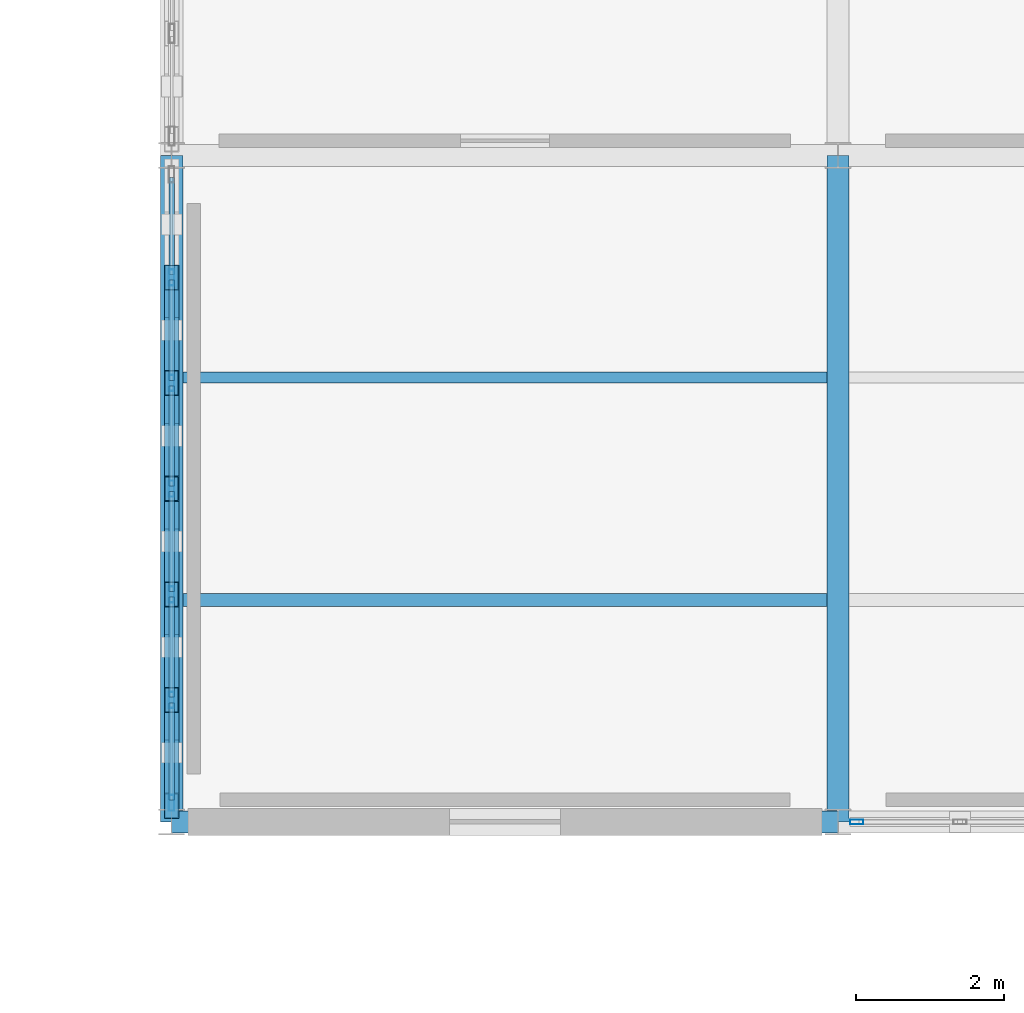
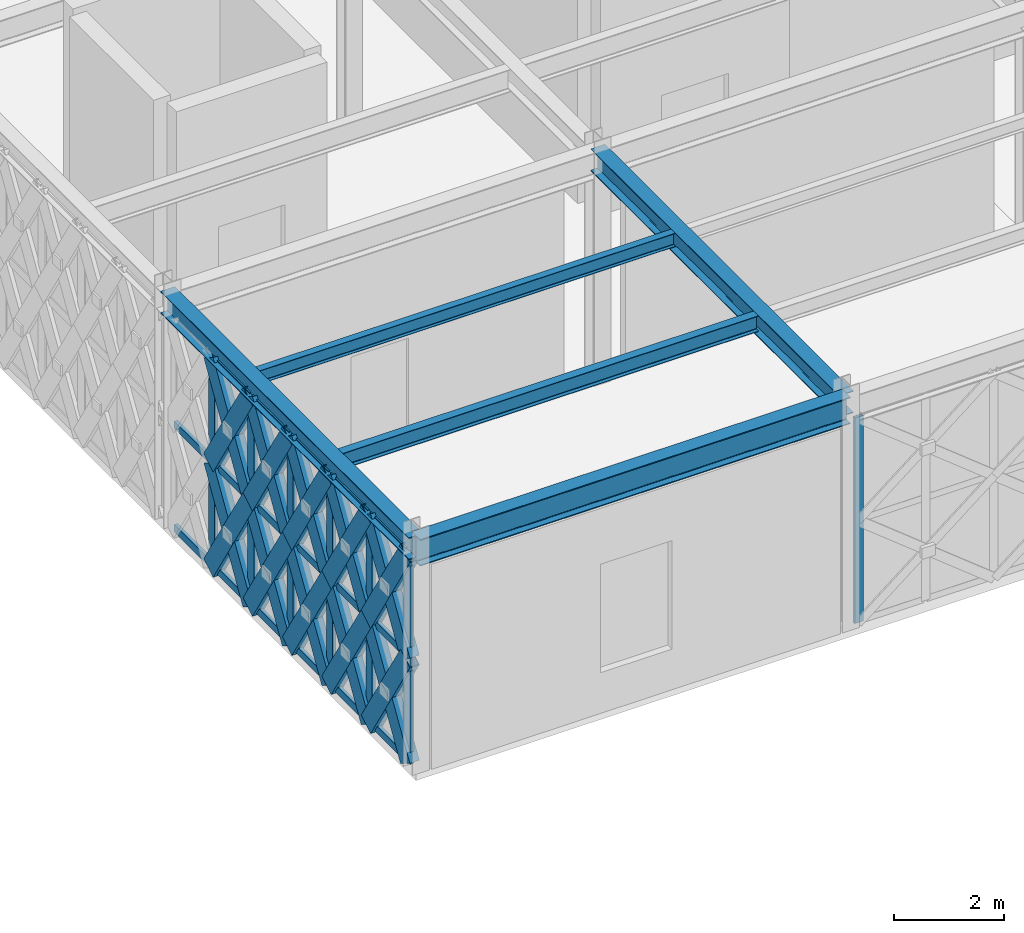
# One storey, part 82 of 166: 54 members, 5 beams, 2 elements without a shape of their own.
"""IFC4 building model written with IfcOpenShell, lengths in metres."""

from ifc_helpers import new_model, si_unit, direction, frame, origin, origin_2d, place, context, subcontext, project, spatial, hollow_rectangle, i_section, extrude, material, material_profile, profile_set, type_object, element, aggregate, save


model = new_model("IFC4")

# Units and contexts
model_context = context("Model", 3, precision=1e-05, world=origin(), true_north=direction((0.0, 1.0)))
body_context = subcontext(model_context, "Body", "Model", "MODEL_VIEW")
ifc_project = project(units=[si_unit("LENGTHUNIT", "METRE"), si_unit("AREAUNIT", "SQUARE_METRE"), si_unit("VOLUMEUNIT", "CUBIC_METRE"), si_unit("PLANEANGLEUNIT", "RADIAN"), si_unit("MASSUNIT", "GRAM", prefix="KILO")], contexts=[model_context])

# Site, building, storey
site_placement = place(None, origin())
site = spatial("IfcSite", under=ifc_project, at=site_placement, CompositionType="ELEMENT")
building_placement = place(site_placement, origin())
building = spatial("IfcBuilding", under=site, at=building_placement, Name="Haizhuo Lancet Aquarium", CompositionType="ELEMENT")
storey_placement = place(building_placement, frame((0.0, 0.0, 5.39990234375)))
storey = spatial("IfcBuildingStorey", under=building, at=storey_placement, Name="L01", CompositionType="ELEMENT", Elevation=5.39990234375)

# Beams
ifc_material_1 = material(Name="Steel S355", Category="steel")
ifc_material_profile_1 = material_profile(ifc_material_1, i_section(OverallWidth=0.300048828125, OverallDepth=0.488037109375, WebThickness=0.010986328125, FlangeThickness=0.01806640625, FilletRadius=0.02392578125, at=origin_2d()), Name="HM 488x300x11x18")
ifc_profile_set_1 = profile_set([ifc_material_profile_1], Name="Steel S355")
beam_type_1 = type_object("IfcBeamType", Name="BM-ST-HM488", PredefinedType="BEAM", material=ifc_profile_set_1)
for number, where, z_axis, x_axis, name in (
    (1, (36.0, 9.0, 4.89599609375), (0.0, 1.0, 0.0), (-1.0, 0.0, 0.0), "L01 V7 primary girder BM-L01-V7-001"),
    (2, (45.0, 9.0, 4.89599609375), (0.0, 1.0, 0.0), (-1.0, 0.0, 0.0), "L01 V7 primary girder BM-L01-V7-008"),
):
    element("IfcBeam", number, at=place(storey_placement, frame(where, z_axis=z_axis, x_axis=x_axis)), inside=storey, type_object=beam_type_1, Name=name, PredefinedType="BEAM", context=body_context, shape_type="SweptSolid", body=[
        extrude(i_section(OverallWidth=0.300048828125, OverallDepth=0.488037109375, WebThickness=0.010986328125, FlangeThickness=0.01806640625, FilletRadius=0.02392578125, at=origin_2d()), origin(), (0.0, 0.0, 1.0), 9.0),
    ])
ifc_material_profile_2 = material_profile(ifc_material_1, i_section(OverallWidth=0.300048828125, OverallDepth=0.587890625, WebThickness=0.011962890625, FlangeThickness=0.02001953125, FilletRadius=0.02587890625, at=origin_2d()), Name="HM 588x300x12x20")
ifc_profile_set_2 = profile_set([ifc_material_profile_2], Name="Steel S355")
beam_type_2 = type_object("IfcBeamType", Name="BM-ST-HM588", PredefinedType="BEAM", material=ifc_profile_set_2)
beam_1_placement = place(storey_placement, frame((36.0, 9.0, 4.84619140625), z_axis=(1.0, 0.0, 0.0), x_axis=(0.0, 1.0, 0.0)))
element("IfcBeam", 3, at=beam_1_placement, inside=storey, type_object=beam_type_2, Name="L01 V7 primary girder BM-L01-V7-002", PredefinedType="BEAM", context=body_context, shape_type="SweptSolid", body=[
    extrude(i_section(OverallWidth=0.300048828125, OverallDepth=0.587890625, WebThickness=0.011962890625, FlangeThickness=0.02001953125, FilletRadius=0.02587890625, at=origin_2d()), origin(), (0.0, 0.0, 1.0), 9.0),
])

# Curtain wall, member
ifc_material_2 = material(Name="Aluminium 6063-T6", Category="aluminium")
curtain_wall_type_1 = type_object("IfcCurtainWallType", Name="CWO-8560x4550", PredefinedType="NOTDEFINED", material=ifc_material_2)
curtain_wall_1_placement = place(storey_placement, origin())
curtain_wall_1 = element("IfcCurtainWall", 4, at=curtain_wall_1_placement, inside=storey, type_object=curtain_wall_type_1, Name="L01 curtain wall CW-V7-L01-292", PredefinedType="NOTDEFINED")
ifc_material_profile_3 = material_profile(ifc_material_2, hollow_rectangle(XDim=0.06494140625, YDim=0.179931640625, WallThickness=0.00390625, at=origin_2d()), Name="ALU-M 65x180x4")
ifc_profile_set_3 = profile_set([ifc_material_profile_3], Name="Aluminium 6063-T6")
member_type_1 = type_object("IfcMemberType", Name="CW-MUL-1", PredefinedType="MULLION", material=ifc_profile_set_3)
member_1_placement = place(storey_placement, frame((45.251953125, 9.0, 0.0), z_axis=(0.0, 0.0, 1.0), x_axis=(0.0, -1.0, 0.0)))
member_1 = element("IfcMember", 5, at=member_1_placement, type_object=member_type_1, Name="CWO-85x45 mullion 7", PredefinedType="MULLION", context=body_context, shape_type="SweptSolid", body=[
    extrude(hollow_rectangle(XDim=0.06494140625, YDim=0.179931640625, WallThickness=0.00390625, at=origin_2d()), origin(), (0.0, 0.0, 1.0), 4.552001953125),
])
aggregate(curtain_wall_1, [member_1])

# Curtain wall, members
curtain_wall_type_2 = type_object("IfcCurtainWallType", Name="CWD-8560x4650", PredefinedType="NOTDEFINED", material=ifc_material_2)
curtain_wall_2_placement = place(storey_placement, origin())
curtain_wall_2 = element("IfcCurtainWall", 6, at=curtain_wall_2_placement, inside=storey, type_object=curtain_wall_type_2, Name="L01 curtain wall CW-V7-L01-293", PredefinedType="NOTDEFINED")
ifc_material_profile_4 = material_profile(ifc_material_2, hollow_rectangle(XDim=0.074951171875, YDim=0.219970703125, WallThickness=0.0048828125, at=origin_2d()), Name="ALU-M 75x220x5")
ifc_profile_set_4 = profile_set([ifc_material_profile_4], Name="Aluminium 6063-T6")
member_type_2 = type_object("IfcMemberType", Name="CW-MUL-2", PredefinedType="MULLION", material=ifc_profile_set_4)
member_2_placement = place(storey_placement, frame((36.0, 9.258056640625, 0.0), z_axis=(0.0, 0.0, 1.0), x_axis=(-1.0, 0.0, 0.0)))
member_2 = element("IfcMember", 7, at=member_2_placement, type_object=member_type_2, Name="CWD-85x46 mullion 1", PredefinedType="MULLION", context=body_context, shape_type="SweptSolid", body=[
    extrude(hollow_rectangle(XDim=0.074951171875, YDim=0.219970703125, WallThickness=0.0048828125, at=origin_2d()), origin(), (0.0, 0.0, 1.0), 4.652099609375),
])
member_3_placement = place(storey_placement, frame((36.0, 10.64697265625, 0.0), z_axis=(0.0, 0.0, 1.0), x_axis=(-1.0, 0.0, 0.0)))
member_3 = element("IfcMember", 8, at=member_3_placement, type_object=member_type_2, Name="CWD-85x46 mullion 2", PredefinedType="MULLION", context=body_context, shape_type="SweptSolid", body=[
    extrude(hollow_rectangle(XDim=0.074951171875, YDim=0.219970703125, WallThickness=0.0048828125, at=origin_2d()), origin(), (0.0, 0.0, 1.0), 4.652099609375),
])
member_4_placement = place(storey_placement, frame((36.0, 12.072998046875, 0.0), z_axis=(0.0, 0.0, 1.0), x_axis=(-1.0, 0.0, 0.0)))
member_4 = element("IfcMember", 9, at=member_4_placement, type_object=member_type_2, Name="CWD-85x46 mullion 3", PredefinedType="MULLION", context=body_context, shape_type="SweptSolid", body=[
    extrude(hollow_rectangle(XDim=0.074951171875, YDim=0.219970703125, WallThickness=0.0048828125, at=origin_2d()), origin(), (0.0, 0.0, 1.0), 4.652099609375),
])
member_5_placement = place(storey_placement, frame((36.0, 13.5, 0.0), z_axis=(0.0, 0.0, 1.0), x_axis=(-1.0, 0.0, 0.0)))
member_5 = element("IfcMember", 10, at=member_5_placement, type_object=member_type_2, Name="CWD-85x46 mullion 4", PredefinedType="MULLION", context=body_context, shape_type="SweptSolid", body=[
    extrude(hollow_rectangle(XDim=0.074951171875, YDim=0.219970703125, WallThickness=0.0048828125, at=origin_2d()), origin(), (0.0, 0.0, 1.0), 4.652099609375),
])
member_6_placement = place(storey_placement, frame((36.0, 14.927001953125, 0.0), z_axis=(0.0, 0.0, 1.0), x_axis=(-1.0, 0.0, 0.0)))
member_6 = element("IfcMember", 11, at=member_6_placement, type_object=member_type_2, Name="CWD-85x46 mullion 5", PredefinedType="MULLION", context=body_context, shape_type="SweptSolid", body=[
    extrude(hollow_rectangle(XDim=0.074951171875, YDim=0.219970703125, WallThickness=0.0048828125, at=origin_2d()), origin(), (0.0, 0.0, 1.0), 4.652099609375),
])
member_7_placement = place(storey_placement, frame((36.0, 16.35302734375, 0.0), z_axis=(0.0, 0.0, 1.0), x_axis=(-1.0, 0.0, 0.0)))
member_7 = element("IfcMember", 12, at=member_7_placement, type_object=member_type_2, Name="CWD-85x46 mullion 6", PredefinedType="MULLION", context=body_context, shape_type="SweptSolid", body=[
    extrude(hollow_rectangle(XDim=0.074951171875, YDim=0.219970703125, WallThickness=0.0048828125, at=origin_2d()), origin(), (0.0, 0.0, 1.0), 4.652099609375),
])
ifc_material_profile_5 = material_profile(ifc_material_2, hollow_rectangle(XDim=0.074951171875, YDim=0.159912109375, WallThickness=0.00390625, at=origin_2d()), Name="ALU-T 75x160x4")
ifc_profile_set_5 = profile_set([ifc_material_profile_5], Name="Aluminium 6063-T6")
member_type_3 = type_object("IfcMemberType", Name="CW-TRN-2", PredefinedType="NOTDEFINED", material=ifc_profile_set_5)
member_8_placement = place(storey_placement, frame((36.0, 9.294921875, 0.0380859375), z_axis=(0.0, 1.0, 0.0), x_axis=(-1.0, 0.0, 0.0)))
member_8 = element("IfcMember", 13, at=member_8_placement, type_object=member_type_3, Name="CWD-85x46 transom 1.1", ObjectType="TRANSOM", PredefinedType="USERDEFINED", context=body_context, shape_type="SweptSolid", body=[
    extrude(hollow_rectangle(XDim=0.074951171875, YDim=0.159912109375, WallThickness=0.00390625, at=origin_2d()), origin(), (0.0, 0.0, 1.0), 1.31396484375),
])
member_9_placement = place(storey_placement, frame((36.0, 9.294921875, 2.326171875), z_axis=(0.0, 1.0, 0.0), x_axis=(-1.0, 0.0, 0.0)))
member_9 = element("IfcMember", 14, at=member_9_placement, type_object=member_type_3, Name="CWD-85x46 transom 1.2", ObjectType="TRANSOM", PredefinedType="USERDEFINED", context=body_context, shape_type="SweptSolid", body=[
    extrude(hollow_rectangle(XDim=0.074951171875, YDim=0.159912109375, WallThickness=0.00390625, at=origin_2d()), origin(), (0.0, 0.0, 1.0), 1.31396484375),
])
member_10_placement = place(storey_placement, frame((36.0, 9.294921875, 4.614013671875), z_axis=(0.0, 1.0, 0.0), x_axis=(-1.0, 0.0, 0.0)))
member_10 = element("IfcMember", 15, at=member_10_placement, type_object=member_type_3, Name="CWD-85x46 transom 1.3", ObjectType="TRANSOM", PredefinedType="USERDEFINED", context=body_context, shape_type="SweptSolid", body=[
    extrude(hollow_rectangle(XDim=0.074951171875, YDim=0.159912109375, WallThickness=0.00390625, at=origin_2d()), origin(), (0.0, 0.0, 1.0), 1.31396484375),
])
member_11_placement = place(storey_placement, frame((36.0, 10.68408203125, 0.0380859375), z_axis=(0.0, 1.0, 0.0), x_axis=(-1.0, 0.0, 0.0)))
member_11 = element("IfcMember", 16, at=member_11_placement, type_object=member_type_3, Name="CWD-85x46 transom 2.1", ObjectType="TRANSOM", PredefinedType="USERDEFINED", context=body_context, shape_type="SweptSolid", body=[
    extrude(hollow_rectangle(XDim=0.074951171875, YDim=0.159912109375, WallThickness=0.00390625, at=origin_2d()), origin(), (0.0, 0.0, 1.0), 1.351806640625),
])
member_12_placement = place(storey_placement, frame((36.0, 10.68408203125, 2.326171875), z_axis=(0.0, 1.0, 0.0), x_axis=(-1.0, 0.0, 0.0)))
member_12 = element("IfcMember", 17, at=member_12_placement, type_object=member_type_3, Name="CWD-85x46 transom 2.2", ObjectType="TRANSOM", PredefinedType="USERDEFINED", context=body_context, shape_type="SweptSolid", body=[
    extrude(hollow_rectangle(XDim=0.074951171875, YDim=0.159912109375, WallThickness=0.00390625, at=origin_2d()), origin(), (0.0, 0.0, 1.0), 1.351806640625),
])
member_13_placement = place(storey_placement, frame((36.0, 10.68408203125, 4.614013671875), z_axis=(0.0, 1.0, 0.0), x_axis=(-1.0, 0.0, 0.0)))
member_13 = element("IfcMember", 18, at=member_13_placement, type_object=member_type_3, Name="CWD-85x46 transom 2.3", ObjectType="TRANSOM", PredefinedType="USERDEFINED", context=body_context, shape_type="SweptSolid", body=[
    extrude(hollow_rectangle(XDim=0.074951171875, YDim=0.159912109375, WallThickness=0.00390625, at=origin_2d()), origin(), (0.0, 0.0, 1.0), 1.351806640625),
])
member_14_placement = place(storey_placement, frame((36.0, 12.111083984375, 0.0380859375), z_axis=(0.0, 1.0, 0.0), x_axis=(-1.0, 0.0, 0.0)))
member_14 = element("IfcMember", 19, at=member_14_placement, type_object=member_type_3, Name="CWD-85x46 transom 3.1", ObjectType="TRANSOM", PredefinedType="USERDEFINED", context=body_context, shape_type="SweptSolid", body=[
    extrude(hollow_rectangle(XDim=0.074951171875, YDim=0.159912109375, WallThickness=0.00390625, at=origin_2d()), origin(), (0.0, 0.0, 1.0), 1.351806640625),
])
member_15_placement = place(storey_placement, frame((36.0, 12.111083984375, 2.326171875), z_axis=(0.0, 1.0, 0.0), x_axis=(-1.0, 0.0, 0.0)))
member_15 = element("IfcMember", 20, at=member_15_placement, type_object=member_type_3, Name="CWD-85x46 transom 3.2", ObjectType="TRANSOM", PredefinedType="USERDEFINED", context=body_context, shape_type="SweptSolid", body=[
    extrude(hollow_rectangle(XDim=0.074951171875, YDim=0.159912109375, WallThickness=0.00390625, at=origin_2d()), origin(), (0.0, 0.0, 1.0), 1.351806640625),
])
member_16_placement = place(storey_placement, frame((36.0, 12.111083984375, 4.614013671875), z_axis=(0.0, 1.0, 0.0), x_axis=(-1.0, 0.0, 0.0)))
member_16 = element("IfcMember", 21, at=member_16_placement, type_object=member_type_3, Name="CWD-85x46 transom 3.3", ObjectType="TRANSOM", PredefinedType="USERDEFINED", context=body_context, shape_type="SweptSolid", body=[
    extrude(hollow_rectangle(XDim=0.074951171875, YDim=0.159912109375, WallThickness=0.00390625, at=origin_2d()), origin(), (0.0, 0.0, 1.0), 1.351806640625),
])
member_17_placement = place(storey_placement, frame((36.0, 13.5380859375, 0.0380859375), z_axis=(0.0, 1.0, 0.0), x_axis=(-1.0, 0.0, 0.0)))
member_17 = element("IfcMember", 22, at=member_17_placement, type_object=member_type_3, Name="CWD-85x46 transom 4.1", ObjectType="TRANSOM", PredefinedType="USERDEFINED", context=body_context, shape_type="SweptSolid", body=[
    extrude(hollow_rectangle(XDim=0.074951171875, YDim=0.159912109375, WallThickness=0.00390625, at=origin_2d()), origin(), (0.0, 0.0, 1.0), 1.350830078125),
])
member_18_placement = place(storey_placement, frame((36.0, 13.5380859375, 2.326171875), z_axis=(0.0, 1.0, 0.0), x_axis=(-1.0, 0.0, 0.0)))
member_18 = element("IfcMember", 23, at=member_18_placement, type_object=member_type_3, Name="CWD-85x46 transom 4.2", ObjectType="TRANSOM", PredefinedType="USERDEFINED", context=body_context, shape_type="SweptSolid", body=[
    extrude(hollow_rectangle(XDim=0.074951171875, YDim=0.159912109375, WallThickness=0.00390625, at=origin_2d()), origin(), (0.0, 0.0, 1.0), 1.350830078125),
])
member_19_placement = place(storey_placement, frame((36.0, 13.5380859375, 4.614013671875), z_axis=(0.0, 1.0, 0.0), x_axis=(-1.0, 0.0, 0.0)))
member_19 = element("IfcMember", 24, at=member_19_placement, type_object=member_type_3, Name="CWD-85x46 transom 4.3", ObjectType="TRANSOM", PredefinedType="USERDEFINED", context=body_context, shape_type="SweptSolid", body=[
    extrude(hollow_rectangle(XDim=0.074951171875, YDim=0.159912109375, WallThickness=0.00390625, at=origin_2d()), origin(), (0.0, 0.0, 1.0), 1.350830078125),
])
member_20_placement = place(storey_placement, frame((36.0, 14.964111328125, 0.0380859375), z_axis=(0.0, 1.0, 0.0), x_axis=(-1.0, 0.0, 0.0)))
member_20 = element("IfcMember", 25, at=member_20_placement, type_object=member_type_3, Name="CWD-85x46 transom 5.1", ObjectType="TRANSOM", PredefinedType="USERDEFINED", context=body_context, shape_type="SweptSolid", body=[
    extrude(hollow_rectangle(XDim=0.074951171875, YDim=0.159912109375, WallThickness=0.00390625, at=origin_2d()), origin(), (0.0, 0.0, 1.0), 1.351806640625),
])
member_21_placement = place(storey_placement, frame((36.0, 14.964111328125, 2.326171875), z_axis=(0.0, 1.0, 0.0), x_axis=(-1.0, 0.0, 0.0)))
member_21 = element("IfcMember", 26, at=member_21_placement, type_object=member_type_3, Name="CWD-85x46 transom 5.2", ObjectType="TRANSOM", PredefinedType="USERDEFINED", context=body_context, shape_type="SweptSolid", body=[
    extrude(hollow_rectangle(XDim=0.074951171875, YDim=0.159912109375, WallThickness=0.00390625, at=origin_2d()), origin(), (0.0, 0.0, 1.0), 1.351806640625),
])
member_22_placement = place(storey_placement, frame((36.0, 14.964111328125, 4.614013671875), z_axis=(0.0, 1.0, 0.0), x_axis=(-1.0, 0.0, 0.0)))
member_22 = element("IfcMember", 27, at=member_22_placement, type_object=member_type_3, Name="CWD-85x46 transom 5.3", ObjectType="TRANSOM", PredefinedType="USERDEFINED", context=body_context, shape_type="SweptSolid", body=[
    extrude(hollow_rectangle(XDim=0.074951171875, YDim=0.159912109375, WallThickness=0.00390625, at=origin_2d()), origin(), (0.0, 0.0, 1.0), 1.351806640625),
])
member_23_placement = place(storey_placement, frame((36.0, 16.39111328125, 0.0380859375), z_axis=(0.0, 1.0, 0.0), x_axis=(-1.0, 0.0, 0.0)))
member_23 = element("IfcMember", 28, at=member_23_placement, type_object=member_type_3, Name="CWD-85x46 transom 6.1", ObjectType="TRANSOM", PredefinedType="USERDEFINED", context=body_context, shape_type="SweptSolid", body=[
    extrude(hollow_rectangle(XDim=0.074951171875, YDim=0.159912109375, WallThickness=0.00390625, at=origin_2d()), origin(), (0.0, 0.0, 1.0), 1.31396484375),
])
member_24_placement = place(storey_placement, frame((36.0, 16.39111328125, 2.326171875), z_axis=(0.0, 1.0, 0.0), x_axis=(-1.0, 0.0, 0.0)))
member_24 = element("IfcMember", 29, at=member_24_placement, type_object=member_type_3, Name="CWD-85x46 transom 6.2", ObjectType="TRANSOM", PredefinedType="USERDEFINED", context=body_context, shape_type="SweptSolid", body=[
    extrude(hollow_rectangle(XDim=0.074951171875, YDim=0.159912109375, WallThickness=0.00390625, at=origin_2d()), origin(), (0.0, 0.0, 1.0), 1.31396484375),
])
aggregate(curtain_wall_2, [member_2, member_3, member_4, member_5, member_6, member_7, member_8, member_9, member_10, member_11, member_12, member_13, member_14, member_15, member_16, member_17, member_18, member_19, member_20, member_21, member_22, member_23, member_24])

# Beams
ifc_material_profile_6 = material_profile(ifc_material_1, i_section(OverallWidth=0.14990234375, OverallDepth=0.300048828125, WebThickness=0.006591796875, FlangeThickness=0.009033203125, FilletRadius=0.012939453125, at=origin_2d()), Name="HN 300x150x6.5x9")
ifc_profile_set_6 = profile_set([ifc_material_profile_6], Name="Steel S355")
beam_type_3 = type_object("IfcBeamType", Name="JST-ST-HN300", PredefinedType="JOIST", material=ifc_profile_set_6)
beam_2_placement = place(storey_placement, frame((36.14990234375, 15.0, 4.989990234375), z_axis=(1.0, 0.0, 0.0), x_axis=(0.0, 1.0, 0.0)))
element("IfcBeam", 30, at=beam_2_placement, inside=storey, type_object=beam_type_3, Name="L01 V7 secondary floor joist 2", PredefinedType="JOIST", context=body_context, shape_type="SweptSolid", body=[
    extrude(i_section(OverallWidth=0.14990234375, OverallDepth=0.300048828125, WebThickness=0.006591796875, FlangeThickness=0.009033203125, FilletRadius=0.012939453125, at=origin_2d()), origin(), (0.0, 0.0, 1.0), 8.7001953125),
])
ifc_material_profile_7 = material_profile(ifc_material_1, i_section(OverallWidth=0.175048828125, OverallDepth=0.35009765625, WebThickness=0.007080078125, FlangeThickness=0.010986328125, FilletRadius=0.013916015625, at=origin_2d()), Name="HN 350x175x7x11")
ifc_profile_set_7 = profile_set([ifc_material_profile_7], Name="Steel S355")
beam_type_4 = type_object("IfcBeamType", Name="JST-ST-HN350", PredefinedType="JOIST", material=ifc_profile_set_7)
beam_3_placement = place(storey_placement, frame((36.14990234375, 12.0, 4.965087890625), z_axis=(1.0, 0.0, 0.0), x_axis=(0.0, 1.0, 0.0)))
element("IfcBeam", 31, at=beam_3_placement, inside=storey, type_object=beam_type_4, Name="L01 V7 secondary floor joist 1", PredefinedType="JOIST", context=body_context, shape_type="SweptSolid", body=[
    extrude(i_section(OverallWidth=0.175048828125, OverallDepth=0.35009765625, WebThickness=0.007080078125, FlangeThickness=0.010986328125, FilletRadius=0.013916015625, at=origin_2d()), origin(), (0.0, 0.0, 1.0), 8.7001953125),
])

# Members
ifc_material_profile_8 = material_profile(ifc_material_1, hollow_rectangle(XDim=0.199951171875, YDim=0.39990234375, WallThickness=0.011962890625, at=origin_2d()), Name="RHS 200x400x12")
ifc_profile_set_8 = profile_set([ifc_material_profile_8], Name="Steel S355")
member_type_4 = type_object("IfcMemberType", Name="MEM-LB-RHS200x400", PredefinedType="BRACE", material=ifc_profile_set_8)
member_25_placement = place(storey_placement, frame((36.0, 9.219970703125, 0.0), z_axis=(0.0, 0.522903960116, 0.85239160513), x_axis=(-1.0, 0.0, 0.0)))
element("IfcMember", 32, at=member_25_placement, inside=storey, type_object=member_type_4, Name="Gothic lancet continuous diagonal brace CW-V7-L01-293 1A", PredefinedType="BRACE", context=body_context, shape_type="SweptSolid", body=[
    extrude(hollow_rectangle(XDim=0.199951171875, YDim=0.39990234375, WallThickness=0.011962890625, at=origin_2d()), origin(), (0.0, 0.0, 1.0), 2.72900390625),
])
member_26_placement = place(storey_placement, frame((36.0, 10.64697265625, 0.0), z_axis=(0.0, -0.522578844291, 0.852590963768), x_axis=(1.0, 0.0, 0.0)))
element("IfcMember", 33, at=member_26_placement, inside=storey, type_object=member_type_4, Name="Gothic lancet split diagonal brace CW-V7-L01-293 1B1", PredefinedType="BRACE", context=body_context, shape_type="SweptSolid", body=[
    extrude(hollow_rectangle(XDim=0.199951171875, YDim=0.39990234375, WallThickness=0.011962890625, at=origin_2d()), origin(), (0.0, 0.0, 1.0), 1.3642578125),
])
member_27_placement = place(storey_placement, frame((36.0, 9.93408203125, 1.1630859375), z_axis=(0.0, -0.523228847887, 0.85219221584), x_axis=(1.0, 0.0, 0.0)))
element("IfcMember", 34, at=member_27_placement, inside=storey, type_object=member_type_4, Name="Gothic lancet split diagonal brace CW-V7-L01-293 1B2", PredefinedType="BRACE", context=body_context, shape_type="SweptSolid", body=[
    extrude(hollow_rectangle(XDim=0.199951171875, YDim=0.39990234375, WallThickness=0.011962890625, at=origin_2d()), origin(), (0.0, 0.0, 1.0), 1.36474609375),
])
member_28_placement = place(storey_placement, frame((36.0, 9.219970703125, 2.326171875), z_axis=(0.0, 0.522943837384, 0.852367140933), x_axis=(-1.0, 0.0, 0.0)))
element("IfcMember", 35, at=member_28_placement, inside=storey, type_object=member_type_4, Name="Gothic lancet continuous diagonal brace CW-V7-L01-293 2A", PredefinedType="BRACE", context=body_context, shape_type="SweptSolid", body=[
    extrude(hollow_rectangle(XDim=0.199951171875, YDim=0.39990234375, WallThickness=0.011962890625, at=origin_2d()), origin(), (0.0, 0.0, 1.0), 2.728759765625),
])
member_29_placement = place(storey_placement, frame((36.0, 10.64697265625, 2.326171875), z_axis=(0.0, -0.522658591473, 0.852542079173), x_axis=(1.0, 0.0, 0.0)))
element("IfcMember", 36, at=member_29_placement, inside=storey, type_object=member_type_4, Name="Gothic lancet split diagonal brace CW-V7-L01-293 2B1", PredefinedType="BRACE", context=body_context, shape_type="SweptSolid", body=[
    extrude(hollow_rectangle(XDim=0.199951171875, YDim=0.39990234375, WallThickness=0.011962890625, at=origin_2d()), origin(), (0.0, 0.0, 1.0), 1.364013671875),
])
member_30_placement = place(storey_placement, frame((36.0, 9.93408203125, 3.489013671875), z_axis=(0.0, -0.523228847887, 0.85219221584), x_axis=(1.0, 0.0, 0.0)))
element("IfcMember", 37, at=member_30_placement, inside=storey, type_object=member_type_4, Name="Gothic lancet split diagonal brace CW-V7-L01-293 2B2", PredefinedType="BRACE", context=body_context, shape_type="SweptSolid", body=[
    extrude(hollow_rectangle(XDim=0.199951171875, YDim=0.39990234375, WallThickness=0.011962890625, at=origin_2d()), origin(), (0.0, 0.0, 1.0), 1.36474609375),
])
member_31_placement = place(storey_placement, frame((36.0, 10.64697265625, 0.0), z_axis=(0.0, 0.522643885704, 0.852551094502), x_axis=(-1.0, 0.0, 0.0)))
element("IfcMember", 38, at=member_31_placement, inside=storey, type_object=member_type_4, Name="Gothic lancet continuous diagonal brace CW-V7-L01-293 3A", PredefinedType="BRACE", context=body_context, shape_type="SweptSolid", body=[
    extrude(hollow_rectangle(XDim=0.199951171875, YDim=0.39990234375, WallThickness=0.011962890625, at=origin_2d()), origin(), (0.0, 0.0, 1.0), 2.728515625),
])
for number, where, z_axis, x_axis, name in (
    (39, (36.0, 12.072998046875, 0.0), (0.0, -0.522578844291, 0.852590963768), (1.0, 0.0, 0.0), "Gothic lancet split diagonal brace CW-V7-L01-293 3B1"),
    (40, (36.0, 11.360107421875, 1.1630859375), (0.0, -0.522708917992, 0.852511224003), (1.0, 0.0, 0.0), "Gothic lancet split diagonal brace CW-V7-L01-293 3B2"),
):
    element("IfcMember", number, at=place(storey_placement, frame(where, z_axis=z_axis, x_axis=x_axis)), inside=storey, type_object=member_type_4, Name=name, PredefinedType="BRACE", context=body_context, shape_type="SweptSolid", body=[
        extrude(hollow_rectangle(XDim=0.199951171875, YDim=0.39990234375, WallThickness=0.011962890625, at=origin_2d()), origin(), (0.0, 0.0, 1.0), 1.3642578125),
    ])
member_32_placement = place(storey_placement, frame((36.0, 10.64697265625, 2.326171875), z_axis=(0.0, 0.522683758057, 0.852526650061), x_axis=(-1.0, 0.0, 0.0)))
element("IfcMember", 41, at=member_32_placement, inside=storey, type_object=member_type_4, Name="Gothic lancet continuous diagonal brace CW-V7-L01-293 4A", PredefinedType="BRACE", context=body_context, shape_type="SweptSolid", body=[
    extrude(hollow_rectangle(XDim=0.199951171875, YDim=0.39990234375, WallThickness=0.011962890625, at=origin_2d()), origin(), (0.0, 0.0, 1.0), 2.728271484375),
])
member_33_placement = place(storey_placement, frame((36.0, 12.072998046875, 2.326171875), z_axis=(0.0, -0.522658591473, 0.852542079173), x_axis=(1.0, 0.0, 0.0)))
element("IfcMember", 42, at=member_33_placement, inside=storey, type_object=member_type_4, Name="Gothic lancet split diagonal brace CW-V7-L01-293 4B1", PredefinedType="BRACE", context=body_context, shape_type="SweptSolid", body=[
    extrude(hollow_rectangle(XDim=0.199951171875, YDim=0.39990234375, WallThickness=0.011962890625, at=origin_2d()), origin(), (0.0, 0.0, 1.0), 1.364013671875),
])
member_34_placement = place(storey_placement, frame((36.0, 11.360107421875, 3.489013671875), z_axis=(0.0, -0.522708917992, 0.852511224003), x_axis=(1.0, 0.0, 0.0)))
element("IfcMember", 43, at=member_34_placement, inside=storey, type_object=member_type_4, Name="Gothic lancet split diagonal brace CW-V7-L01-293 4B2", PredefinedType="BRACE", context=body_context, shape_type="SweptSolid", body=[
    extrude(hollow_rectangle(XDim=0.199951171875, YDim=0.39990234375, WallThickness=0.011962890625, at=origin_2d()), origin(), (0.0, 0.0, 1.0), 1.3642578125),
])
member_35_placement = place(storey_placement, frame((36.0, 12.072998046875, 0.0), z_axis=(0.0, 0.522903960116, 0.85239160513), x_axis=(-1.0, 0.0, 0.0)))
element("IfcMember", 44, at=member_35_placement, inside=storey, type_object=member_type_4, Name="Gothic lancet continuous diagonal brace CW-V7-L01-293 5A", PredefinedType="BRACE", context=body_context, shape_type="SweptSolid", body=[
    extrude(hollow_rectangle(XDim=0.199951171875, YDim=0.39990234375, WallThickness=0.011962890625, at=origin_2d()), origin(), (0.0, 0.0, 1.0), 2.72900390625),
])
member_36_placement = place(storey_placement, frame((36.0, 13.5, 0.0), z_axis=(0.0, -0.522578844291, 0.852590963768), x_axis=(1.0, 0.0, 0.0)))
element("IfcMember", 45, at=member_36_placement, inside=storey, type_object=member_type_4, Name="Gothic lancet split diagonal brace CW-V7-L01-293 5B1", PredefinedType="BRACE", context=body_context, shape_type="SweptSolid", body=[
    extrude(hollow_rectangle(XDim=0.199951171875, YDim=0.39990234375, WallThickness=0.011962890625, at=origin_2d()), origin(), (0.0, 0.0, 1.0), 1.3642578125),
])
member_37_placement = place(storey_placement, frame((36.0, 12.787109375, 1.1630859375), z_axis=(0.0, -0.523228847887, 0.85219221584), x_axis=(1.0, 0.0, 0.0)))
element("IfcMember", 46, at=member_37_placement, inside=storey, type_object=member_type_4, Name="Gothic lancet split diagonal brace CW-V7-L01-293 5B2", PredefinedType="BRACE", context=body_context, shape_type="SweptSolid", body=[
    extrude(hollow_rectangle(XDim=0.199951171875, YDim=0.39990234375, WallThickness=0.011962890625, at=origin_2d()), origin(), (0.0, 0.0, 1.0), 1.36474609375),
])
member_38_placement = place(storey_placement, frame((36.0, 12.072998046875, 2.326171875), z_axis=(0.0, 0.522943837384, 0.852367140933), x_axis=(-1.0, 0.0, 0.0)))
element("IfcMember", 47, at=member_38_placement, inside=storey, type_object=member_type_4, Name="Gothic lancet continuous diagonal brace CW-V7-L01-293 6A", PredefinedType="BRACE", context=body_context, shape_type="SweptSolid", body=[
    extrude(hollow_rectangle(XDim=0.199951171875, YDim=0.39990234375, WallThickness=0.011962890625, at=origin_2d()), origin(), (0.0, 0.0, 1.0), 2.728759765625),
])
member_39_placement = place(storey_placement, frame((36.0, 13.5, 2.326171875), z_axis=(0.0, -0.522658591473, 0.852542079173), x_axis=(1.0, 0.0, 0.0)))
element("IfcMember", 48, at=member_39_placement, inside=storey, type_object=member_type_4, Name="Gothic lancet split diagonal brace CW-V7-L01-293 6B1", PredefinedType="BRACE", context=body_context, shape_type="SweptSolid", body=[
    extrude(hollow_rectangle(XDim=0.199951171875, YDim=0.39990234375, WallThickness=0.011962890625, at=origin_2d()), origin(), (0.0, 0.0, 1.0), 1.364013671875),
])
member_40_placement = place(storey_placement, frame((36.0, 12.787109375, 3.489013671875), z_axis=(0.0, -0.523228847887, 0.85219221584), x_axis=(1.0, 0.0, 0.0)))
element("IfcMember", 49, at=member_40_placement, inside=storey, type_object=member_type_4, Name="Gothic lancet split diagonal brace CW-V7-L01-293 6B2", PredefinedType="BRACE", context=body_context, shape_type="SweptSolid", body=[
    extrude(hollow_rectangle(XDim=0.199951171875, YDim=0.39990234375, WallThickness=0.011962890625, at=origin_2d()), origin(), (0.0, 0.0, 1.0), 1.36474609375),
])
member_41_placement = place(storey_placement, frame((36.0, 13.5, 0.0), z_axis=(0.0, 0.522903960116, 0.85239160513), x_axis=(-1.0, 0.0, 0.0)))
element("IfcMember", 50, at=member_41_placement, inside=storey, type_object=member_type_4, Name="Gothic lancet continuous diagonal brace CW-V7-L01-293 7A", PredefinedType="BRACE", context=body_context, shape_type="SweptSolid", body=[
    extrude(hollow_rectangle(XDim=0.199951171875, YDim=0.39990234375, WallThickness=0.011962890625, at=origin_2d()), origin(), (0.0, 0.0, 1.0), 2.72900390625),
])
member_42_placement = place(storey_placement, frame((36.0, 14.927001953125, 0.0), z_axis=(0.0, -0.523228847887, 0.85219221584), x_axis=(1.0, 0.0, 0.0)))
element("IfcMember", 51, at=member_42_placement, inside=storey, type_object=member_type_4, Name="Gothic lancet split diagonal brace CW-V7-L01-293 7B1", PredefinedType="BRACE", context=body_context, shape_type="SweptSolid", body=[
    extrude(hollow_rectangle(XDim=0.199951171875, YDim=0.39990234375, WallThickness=0.011962890625, at=origin_2d()), origin(), (0.0, 0.0, 1.0), 1.36474609375),
])
member_43_placement = place(storey_placement, frame((36.0, 14.212890625, 1.1630859375), z_axis=(0.0, -0.522578844291, 0.852590963768), x_axis=(1.0, 0.0, 0.0)))
element("IfcMember", 52, at=member_43_placement, inside=storey, type_object=member_type_4, Name="Gothic lancet split diagonal brace CW-V7-L01-293 7B2", PredefinedType="BRACE", context=body_context, shape_type="SweptSolid", body=[
    extrude(hollow_rectangle(XDim=0.199951171875, YDim=0.39990234375, WallThickness=0.011962890625, at=origin_2d()), origin(), (0.0, 0.0, 1.0), 1.3642578125),
])
member_44_placement = place(storey_placement, frame((36.0, 13.5, 2.326171875), z_axis=(0.0, 0.522943837384, 0.852367140933), x_axis=(-1.0, 0.0, 0.0)))
element("IfcMember", 53, at=member_44_placement, inside=storey, type_object=member_type_4, Name="Gothic lancet continuous diagonal brace CW-V7-L01-293 8A", PredefinedType="BRACE", context=body_context, shape_type="SweptSolid", body=[
    extrude(hollow_rectangle(XDim=0.199951171875, YDim=0.39990234375, WallThickness=0.011962890625, at=origin_2d()), origin(), (0.0, 0.0, 1.0), 2.728759765625),
])
member_45_placement = place(storey_placement, frame((36.0, 14.927001953125, 2.326171875), z_axis=(0.0, -0.523308619575, 0.85214323249), x_axis=(1.0, 0.0, 0.0)))
element("IfcMember", 54, at=member_45_placement, inside=storey, type_object=member_type_4, Name="Gothic lancet split diagonal brace CW-V7-L01-293 8B1", PredefinedType="BRACE", context=body_context, shape_type="SweptSolid", body=[
    extrude(hollow_rectangle(XDim=0.199951171875, YDim=0.39990234375, WallThickness=0.011962890625, at=origin_2d()), origin(), (0.0, 0.0, 1.0), 1.364501953125),
])
member_46_placement = place(storey_placement, frame((36.0, 14.212890625, 3.489013671875), z_axis=(0.0, -0.522578844291, 0.852590963768), x_axis=(1.0, 0.0, 0.0)))
element("IfcMember", 55, at=member_46_placement, inside=storey, type_object=member_type_4, Name="Gothic lancet split diagonal brace CW-V7-L01-293 8B2", PredefinedType="BRACE", context=body_context, shape_type="SweptSolid", body=[
    extrude(hollow_rectangle(XDim=0.199951171875, YDim=0.39990234375, WallThickness=0.011962890625, at=origin_2d()), origin(), (0.0, 0.0, 1.0), 1.3642578125),
])
member_47_placement = place(storey_placement, frame((36.0, 14.927001953125, 0.0), z_axis=(0.0, 0.522643885704, 0.852551094502), x_axis=(-1.0, 0.0, 0.0)))
element("IfcMember", 56, at=member_47_placement, inside=storey, type_object=member_type_4, Name="Gothic lancet continuous diagonal brace CW-V7-L01-293 9A", PredefinedType="BRACE", context=body_context, shape_type="SweptSolid", body=[
    extrude(hollow_rectangle(XDim=0.199951171875, YDim=0.39990234375, WallThickness=0.011962890625, at=origin_2d()), origin(), (0.0, 0.0, 1.0), 2.728515625),
])
for number, where, z_axis, x_axis, name in (
    (57, (36.0, 16.35302734375, 0.0), (0.0, -0.522708917992, 0.852511224003), (1.0, 0.0, 0.0), "Gothic lancet split diagonal brace CW-V7-L01-293 9B1"),
    (58, (36.0, 15.639892578125, 1.1630859375), (0.0, -0.522578844291, 0.852590963768), (1.0, 0.0, 0.0), "Gothic lancet split diagonal brace CW-V7-L01-293 9B2"),
):
    element("IfcMember", number, at=place(storey_placement, frame(where, z_axis=z_axis, x_axis=x_axis)), inside=storey, type_object=member_type_4, Name=name, PredefinedType="BRACE", context=body_context, shape_type="SweptSolid", body=[
        extrude(hollow_rectangle(XDim=0.199951171875, YDim=0.39990234375, WallThickness=0.011962890625, at=origin_2d()), origin(), (0.0, 0.0, 1.0), 1.3642578125),
    ])
member_48_placement = place(storey_placement, frame((36.0, 14.927001953125, 2.326171875), z_axis=(0.0, 0.522683758057, 0.852526650061), x_axis=(-1.0, 0.0, 0.0)))
element("IfcMember", 59, at=member_48_placement, inside=storey, type_object=member_type_4, Name="Gothic lancet continuous diagonal brace CW-V7-L01-293 10A", PredefinedType="BRACE", context=body_context, shape_type="SweptSolid", body=[
    extrude(hollow_rectangle(XDim=0.199951171875, YDim=0.39990234375, WallThickness=0.011962890625, at=origin_2d()), origin(), (0.0, 0.0, 1.0), 2.728271484375),
])
member_49_placement = place(storey_placement, frame((36.0, 16.35302734375, 2.326171875), z_axis=(0.0, -0.5227886701, 0.852462319646), x_axis=(1.0, 0.0, 0.0)))
element("IfcMember", 60, at=member_49_placement, inside=storey, type_object=member_type_4, Name="Gothic lancet split diagonal brace CW-V7-L01-293 10B1", PredefinedType="BRACE", context=body_context, shape_type="SweptSolid", body=[
    extrude(hollow_rectangle(XDim=0.199951171875, YDim=0.39990234375, WallThickness=0.011962890625, at=origin_2d()), origin(), (0.0, 0.0, 1.0), 1.364013671875),
])
member_50_placement = place(storey_placement, frame((36.0, 15.639892578125, 3.489013671875), z_axis=(0.0, -0.522578844291, 0.852590963768), x_axis=(1.0, 0.0, 0.0)))
element("IfcMember", 61, at=member_50_placement, inside=storey, type_object=member_type_4, Name="Gothic lancet split diagonal brace CW-V7-L01-293 10B2", PredefinedType="BRACE", context=body_context, shape_type="SweptSolid", body=[
    extrude(hollow_rectangle(XDim=0.199951171875, YDim=0.39990234375, WallThickness=0.011962890625, at=origin_2d()), origin(), (0.0, 0.0, 1.0), 1.3642578125),
])

save(model, "model.ifc")
